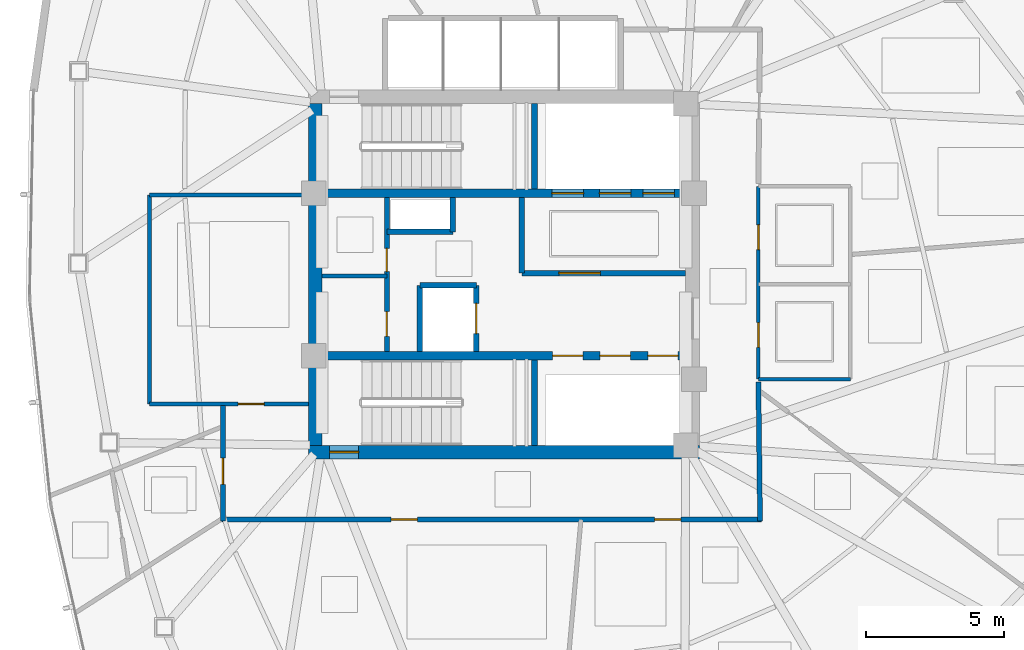
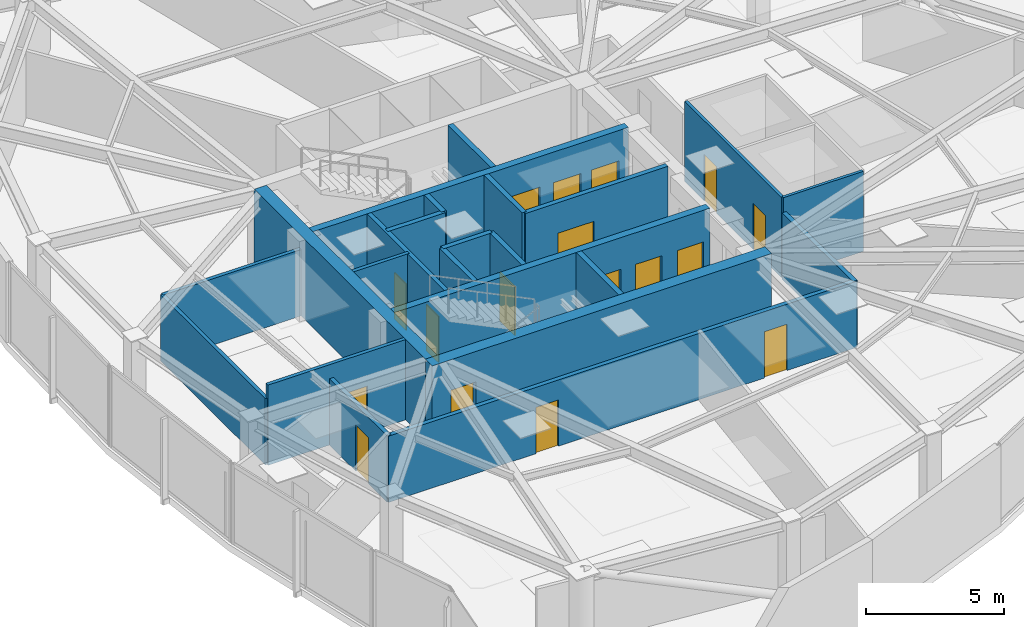
# One storey, part 11 of 17: 23 walls, 17 doors, 17 openings.
"""IFC4 building model written with IfcOpenShell, lengths in metres."""

import ifcopenshell
import ifcopenshell.guid

model = None  # the IFC model being written
_history = None  # IfcOwnerHistory: only IFC2X3 demands one
_inside = {}  # id of a spatial element -> (the spatial element, [elements in it])
_under = {}  # id of a project, library or spatial element -> (it, [spatial elements below it])
_declared = {}  # id of a project -> (the project, [libraries it declares])
_typed = {}  # id of a type object -> (the type object, [elements of that type])
_made_of = {}  # id of a material, layer set ... -> (it, [elements and type objects made of it])


def new_model(schema):
    """Start an empty IFC model of exactly this schema.

    Asked for "IFC4X3", IfcOpenShell would pick the latest addendum, in which some entities
    have other attributes; the version numbers below select the first issue.
    IFC2X3 requires an IfcOwnerHistory on every rooted entity: one is made here for all.
    """
    global model, _history
    if schema == "IFC4X3":
        model = ifcopenshell.file(schema_version=(4, 3, 0, 0))
    else:
        model = ifcopenshell.file(schema=schema)
    _inside.clear()
    _under.clear()
    _declared.clear()
    _typed.clear()
    _made_of.clear()
    _history = None
    if model.schema == "IFC2X3":
        org = make("IfcOrganization", Name="unknown")
        user = make(
            "IfcPersonAndOrganization",
            ThePerson=make("IfcPerson", FamilyName="unknown"),
            TheOrganization=org,
        )
        app = make(
            "IfcApplication",
            ApplicationDeveloper=org,
            Version="unknown",
            ApplicationFullName="unknown",
            ApplicationIdentifier="unknown",
        )
        _history = make(
            "IfcOwnerHistory",
            OwningUser=user,
            OwningApplication=app,
            ChangeAction="ADDED",
            CreationDate=0,
        )
    return model


def make(cls, **values):
    """One entity of the class cls with the attributes given. An attribute that is None is left unset."""
    return model.create_entity(
        cls, **{name: value for name, value in values.items() if value is not None}
    )


def rooted(cls, **values):
    """An entity with a GlobalId (a new one), such as an element, a storey or a relation."""
    return make(cls, GlobalId=ifcopenshell.guid.new(), OwnerHistory=_history, **values)


def si_unit(unit_type, name, prefix=None):
    """IfcSIUnit, for example si_unit("LENGTHUNIT", "METRE", prefix="MILLI")."""
    return make("IfcSIUnit", UnitType=unit_type, Prefix=prefix, Name=name)


def assignment(units):
    """IfcUnitAssignment: the units of a project."""
    return None if units is None else make("IfcUnitAssignment", Units=units)


def point(xyz):
    """IfcCartesianPoint."""
    return None if xyz is None else make("IfcCartesianPoint", Coordinates=xyz)


def direction(xyz):
    """IfcDirection."""
    return None if xyz is None else make("IfcDirection", DirectionRatios=xyz)


def frame(location, z_axis=None, x_axis=None):
    """IfcAxis2Placement3D, a coordinate frame: its origin and axes. An axis left out is left unset."""
    return make(
        "IfcAxis2Placement3D",
        Location=point(location),
        Axis=direction(z_axis),
        RefDirection=direction(x_axis),
    )


def frame_2d(location, x_axis=None):
    """IfcAxis2Placement2D, a coordinate frame in the plane: its origin and x axis."""
    return make(
        "IfcAxis2Placement2D", Location=point(location), RefDirection=direction(x_axis)
    )


def origin():
    """The frame at (0, 0, 0) with its axes left unset."""
    return frame((0.0, 0.0, 0.0))


def place(relative_to, where):
    """IfcLocalPlacement: puts the frame where relative to a parent placement (None: the world)."""
    return make(
        "IfcLocalPlacement", PlacementRelTo=relative_to, RelativePlacement=where
    )


def context(
    kind, dimensions, precision=None, world=None, true_north=None, identifier=None
):
    """IfcGeometricRepresentationContext, for example the 3D "Model" context."""
    return make(
        "IfcGeometricRepresentationContext",
        ContextIdentifier=identifier,
        ContextType=kind,
        CoordinateSpaceDimension=dimensions,
        Precision=precision,
        WorldCoordinateSystem=world,
        TrueNorth=true_north,
    )


def subcontext(parent, identifier, kind, view, scale=None):
    """IfcGeometricRepresentationSubContext, for example "Body" below "Model"."""
    return make(
        "IfcGeometricRepresentationSubContext",
        ContextIdentifier=identifier,
        ContextType=kind,
        ParentContext=parent,
        TargetScale=scale,
        TargetView=view,
    )


def project(units=None, contexts=None):
    """IfcProject with its units and contexts."""
    return rooted(
        "IfcProject",
        Name="project",
        RepresentationContexts=contexts,
        UnitsInContext=assignment(units),
    )


def spatial(cls, under=None, at=None, **own):
    """A site, building, storey or space (cls), placed at a placement, below another one or the project."""
    s = rooted(cls, ObjectPlacement=at, **own)
    if under is not None:
        _under.setdefault(under.id(), (under, []))[1].append(s)
    return s


def profile(cls, at=None, kind="AREA", **sizes):
    """A parametric profile (cls). Its sizes go by their IFC names, for example OverallWidth=200.0."""
    return make(cls, ProfileType=kind, Position=at, **sizes)


def rectangle(**sizes):
    """IfcRectangleProfileDef."""
    return profile("IfcRectangleProfileDef", **sizes)


def extrude(swept, where, along, depth):
    """IfcExtrudedAreaSolid: the profile swept, set in the frame where, extruded along a direction by depth."""
    return make(
        "IfcExtrudedAreaSolid",
        SweptArea=swept,
        Position=where,
        ExtrudedDirection=direction(along),
        Depth=depth,
    )


def shape(context_of_items, identifier, shape_type, items):
    """IfcShapeRepresentation: the items that make up one representation, for example the "Body"."""
    return make(
        "IfcShapeRepresentation",
        ContextOfItems=context_of_items,
        RepresentationIdentifier=identifier,
        RepresentationType=shape_type,
        Items=items,
    )


def material(Name=None, Category=None):
    """IfcMaterial."""
    return make("IfcMaterial", Name=Name, Category=Category)


def layer(
    of_material, thickness, ventilated=None, Name=None, Category=None, Priority=None
):
    """IfcMaterialLayer: one layer of a wall or slab, of a material (None: an air gap)."""
    return make(
        "IfcMaterialLayer",
        Material=of_material,
        LayerThickness=thickness,
        IsVentilated=ventilated,
        Name=Name,
        Category=Category,
        Priority=Priority,
    )


def layer_set(layers, Name=None):
    """IfcMaterialLayerSet."""
    return make("IfcMaterialLayerSet", MaterialLayers=layers, LayerSetName=Name)


def made_of(thing, what):
    """Note that an element or type object is made of a material, layer set ...; save() writes the relation."""
    if what is not None:
        _made_of.setdefault(what.id(), (what, []))[1].append(thing)
    return thing


def type_object(cls, material=None, **own):
    """A type object (cls), such as IfcWallType, which elements share."""
    return made_of(rooted(cls, **own), material)


def element(
    cls,
    number,
    at=None,
    inside=None,
    cuts=None,
    type_object=None,
    material=None,
    context=None,
    identifier="Body",
    shape_type=None,
    held_by="IfcProductDefinitionShape",
    body=None,
    shapes=None,
    **own,
):
    """One element of the class cls, such as IfcWall. Its Tag is "e" and its number.

    at: its placement. inside: the storey or other place that contains it. cuts: it is an
    opening in that element (IfcRelVoidsElement). A single representation is given by context,
    identifier, shape_type and body (its items); several are given by shapes. held_by: the class
    of the entity that holds the representations. save() writes the other relations.
    """
    e = rooted(cls, Tag="e%d" % number, ObjectPlacement=at, **own)
    if body is not None:
        shapes = [shape(context, identifier, shape_type, body)]
    if shapes is not None:
        e.Representation = make(held_by, Representations=shapes)
    if inside is not None:
        _inside.setdefault(inside.id(), (inside, []))[1].append(e)
    if cuts is not None:
        rooted(
            "IfcRelVoidsElement", RelatingBuildingElement=cuts, RelatedOpeningElement=e
        )
    if type_object is not None:
        _typed.setdefault(type_object.id(), (type_object, []))[1].append(e)
    return made_of(e, material)


def fill(opening, filler):
    """IfcRelFillsElement: the door or window that sits in an opening."""
    return rooted(
        "IfcRelFillsElement",
        RelatingOpeningElement=opening,
        RelatedBuildingElement=filler,
    )


def aggregate(whole, parts):
    """IfcRelAggregates: a whole, such as a stair, and the parts it consists of."""
    return rooted("IfcRelAggregates", RelatingObject=whole, RelatedObjects=parts)


def save(model, path):
    """Write the relations noted so far, then the file.

    IfcRelAggregates (storeys below a building ...), IfcRelContainedInSpatialStructure (elements
    in a storey), IfcRelDefinesByType, IfcRelAssociatesMaterial and IfcRelDeclares: one each for
    every whole, place, type object, material and project.
    """
    for whole, parts in _under.values():
        aggregate(whole, parts)
    for where, things in _inside.values():
        rooted(
            "IfcRelContainedInSpatialStructure",
            RelatedElements=things,
            RelatingStructure=where,
        )
    for kind, things in _typed.values():
        rooted("IfcRelDefinesByType", RelatedObjects=things, RelatingType=kind)
    for what, things in _made_of.values():
        rooted("IfcRelAssociatesMaterial", RelatedObjects=things, RelatingMaterial=what)
    for by, libraries in _declared.values():
        rooted("IfcRelDeclares", RelatingContext=by, RelatedDefinitions=libraries)
    model.write(path)


model = new_model("IFC4")

# Units and contexts
model_context = context("Model", 3, precision=1e-05, world=origin(), true_north=direction((0.0, 1.0)))
body_context = subcontext(model_context, "Body", "Model", "MODEL_VIEW")
ifc_project = project(units=[si_unit("LENGTHUNIT", "METRE"), si_unit("AREAUNIT", "SQUARE_METRE"), si_unit("VOLUMEUNIT", "CUBIC_METRE"), si_unit("PLANEANGLEUNIT", "RADIAN"), si_unit("MASSUNIT", "GRAM", prefix="KILO")], contexts=[model_context])

# Site, building, storey
site_placement = place(None, origin())
site = spatial("IfcSite", under=ifc_project, at=site_placement, CompositionType="ELEMENT")
building_placement = place(site_placement, origin())
building = spatial("IfcBuilding", under=site, at=building_placement, Name="Tavelor Broadcast Tower", CompositionType="ELEMENT")
storey_placement = place(building_placement, frame((0.0, 0.0, 169.5)))
storey = spatial("IfcBuildingStorey", under=building, at=storey_placement, Name="L40", CompositionType="ELEMENT", Elevation=169.5)

# Wall, opening, door
ifc_material_1 = material(Name="Concrete C50/60", Category="concrete")
ifc_layer_1 = layer(ifc_material_1, 0.5)
ifc_layer_set_1 = layer_set([ifc_layer_1], Name="Concrete C50/60")
wall_type_1 = type_object("IfcWallType", Name="Core Shear Wall 500 mm", PredefinedType="SHEAR", material=ifc_layer_set_1)
wall_1_placement = place(storey_placement, frame((42.89990234375, 38.550048828125, 0.0), z_axis=(0.0, 0.0, 1.0), x_axis=(1.0, 0.0, 0.0)))
wall_1 = element("IfcWall", 1, at=wall_1_placement, inside=storey, type_object=wall_type_1, Name="L40 Central Core Shear Wall S", PredefinedType="SHEAR", context=body_context, shape_type="SweptSolid", body=[
    extrude(rectangle(XDim=14.2001953125, YDim=0.5, at=frame_2d((7.10009765625, 0.0))), origin(), (0.0, 0.0, 1.0), 3.550048828125),
])
opening_1_placement = place(wall_1_placement, frame((0.780029296875, 0.0, 0.0)))
opening_1 = element("IfcOpeningElement", 2, at=opening_1_placement, cuts=wall_1, Name="Opening DR11", PredefinedType="OPENING", context=body_context, shape_type="SweptSolid", body=[
    extrude(rectangle(XDim=1.050048828125, YDim=2.199951171875, at=frame_2d((0.52490234375, 1.10009765625))), frame((0.0, 0.260009765625, 0.0), z_axis=(0.0, -1.0, 0.0), x_axis=(1.0, 0.0, 0.0)), (0.0, 0.0, 1.0), 0.52001953125),
])
ifc_material_2 = material(Name="Steel S355", Category="steel")
door_type_1 = type_object("IfcDoorType", Name="Stair Core Fire Escape Door 1050x2200", OperationType="NOTDEFINED", PredefinedType="DOOR", material=ifc_material_2)
door_1_placement = place(opening_1_placement, origin())
door_1 = element("IfcDoor", 3, at=door_1_placement, inside=storey, type_object=door_type_1, Name="L40 Stair ST2 Protected Exit Door", OperationType="SINGLE_SWING_RIGHT", OverallHeight=2.199951171875, OverallWidth=1.050048828125, PredefinedType="DOOR", context=body_context, shape_type="SweptSolid", body=[
    extrude(rectangle(XDim=1.050048828125, YDim=2.199951171875, at=frame_2d((0.52490234375, 1.10009765625))), frame((0.0, 0.02490234375, 0.0), z_axis=(0.0, -1.0, 0.0), x_axis=(1.0, 0.0, 0.0)), (0.0, 0.0, 1.0), 0.050048828125),
])
fill(opening_1, door_1)

# Wall
wall_2_placement = place(storey_placement, frame((43.14990234375, 38.800048828125, 0.0), z_axis=(0.0, 0.0, 1.0), x_axis=(0.0, 1.0, 0.0)))
element("IfcWall", 4, at=wall_2_placement, inside=storey, type_object=wall_type_1, Name="L40 Central Core Shear Wall W", PredefinedType="SHEAR", context=body_context, shape_type="SweptSolid", body=[
    extrude(rectangle(XDim=12.39990234375, YDim=0.5, at=frame_2d((6.199951171875, 0.0))), origin(), (0.0, 0.0, 1.0), 3.550048828125),
])

# Wall, openings, doors
ifc_layer_2 = layer(ifc_material_1, 0.300048828125)
ifc_layer_set_2 = layer_set([ifc_layer_2], Name="Concrete C50/60")
wall_type_2 = type_object("IfcWallType", Name="Core Spine Shear Wall 300 mm C50", PredefinedType="SHEAR", material=ifc_layer_set_2)
wall_3_placement = place(storey_placement, frame((43.39990234375, 47.949951171875, 0.0), z_axis=(0.0, 0.0, 1.0), x_axis=(1.0, 0.0, 0.0)))
wall_3 = element("IfcWall", 5, at=wall_3_placement, inside=storey, type_object=wall_type_2, Name="L40 Central Core Shear Wall SP1", PredefinedType="SHEAR", context=body_context, shape_type="SweptSolid", body=[
    extrude(rectangle(XDim=13.2001953125, YDim=0.300048828125, at=frame_2d((6.60009765625, 0.0))), origin(), (0.0, 0.0, 1.0), 3.550048828125),
])
opening_2_placement = place(wall_3_placement, frame((8.344970703125, 0.0, 0.0)))
opening_2 = element("IfcOpeningElement", 6, at=opening_2_placement, cuts=wall_3, Name="Opening LD02", PredefinedType="OPENING", context=body_context, shape_type="SweptSolid", body=[
    extrude(rectangle(XDim=1.14990234375, YDim=2.199951171875, at=frame_2d((0.574951171875, 1.10009765625))), frame((0.0, 0.16015625, 0.0), z_axis=(0.0, -1.0, 0.0), x_axis=(1.0, 0.0, 0.0)), (0.0, 0.0, 1.0), 0.320068359375),
])
opening_3_placement = place(wall_3_placement, frame((10.06494140625, 0.0, 0.0)))
opening_3 = element("IfcOpeningElement", 7, at=opening_3_placement, cuts=wall_3, Name="Opening LD02", PredefinedType="OPENING", context=body_context, shape_type="SweptSolid", body=[
    extrude(rectangle(XDim=1.14990234375, YDim=2.199951171875, at=frame_2d((0.574951171875, 1.10009765625))), frame((0.0, 0.16015625, 0.0), z_axis=(0.0, -1.0, 0.0), x_axis=(1.0, 0.0, 0.0)), (0.0, 0.0, 1.0), 0.320068359375),
])
opening_4_placement = place(wall_3_placement, frame((11.64501953125, 0.0, 0.0)))
opening_4 = element("IfcOpeningElement", 8, at=opening_4_placement, cuts=wall_3, Name="Opening LD03", PredefinedType="OPENING", context=body_context, shape_type="SweptSolid", body=[
    extrude(rectangle(XDim=1.14990234375, YDim=2.199951171875, at=frame_2d((0.574951171875, 1.10009765625))), frame((0.0, 0.16015625, 0.0), z_axis=(0.0, -1.0, 0.0), x_axis=(1.0, 0.0, 0.0)), (0.0, 0.0, 1.0), 0.320068359375),
])
ifc_material_3 = material(Name="Reinforced Brushed Stainless Steel", Category="concrete")
door_type_2 = type_object("IfcDoorType", Name="Broadcast Goods Lift Sliding Landing Door 1250x2200", OperationType="NOTDEFINED", PredefinedType="DOOR", material=ifc_material_3)
door_2_placement = place(opening_4_placement, origin())
door_2 = element("IfcDoor", 9, at=door_2_placement, inside=storey, type_object=door_type_2, Name="L40 Lift SVL1 Sliding Landing Door", OperationType="SLIDING_TO_LEFT", OverallHeight=2.199951171875, OverallWidth=1.14990234375, PredefinedType="DOOR", context=body_context, shape_type="SweptSolid", body=[
    extrude(rectangle(XDim=1.14990234375, YDim=2.199951171875, at=frame_2d((0.574951171875, 1.10009765625))), frame((0.0, 0.02490234375, 0.0), z_axis=(0.0, -1.0, 0.0), x_axis=(1.0, 0.0, 0.0)), (0.0, 0.0, 1.0), 0.050048828125),
])
fill(opening_4, door_2)
ifc_material_4 = material(Name="Fire-Rated Stainless Steel", Category="steel")
door_type_3 = type_object("IfcDoorType", Name="Firefighting Lift Sliding Landing Door 1200x2200", OperationType="NOTDEFINED", PredefinedType="DOOR", material=ifc_material_4)
door_3_placement = place(opening_2_placement, origin())
door_3 = element("IfcDoor", 10, at=door_3_placement, inside=storey, type_object=door_type_3, Name="L40 Lift FFL1 Sliding Landing Door", OperationType="SLIDING_TO_LEFT", OverallHeight=2.199951171875, OverallWidth=1.14990234375, PredefinedType="DOOR", context=body_context, shape_type="SweptSolid", body=[
    extrude(rectangle(XDim=1.14990234375, YDim=2.199951171875, at=frame_2d((0.574951171875, 1.10009765625))), frame((0.0, 0.02490234375, 0.0), z_axis=(0.0, -1.0, 0.0), x_axis=(1.0, 0.0, 0.0)), (0.0, 0.0, 1.0), 0.050048828125),
])
fill(opening_2, door_3)
door_4_placement = place(opening_3_placement, origin())
door_4 = element("IfcDoor", 11, at=door_4_placement, inside=storey, type_object=door_type_3, Name="L40 Lift FFL2 Sliding Landing Door", OperationType="SLIDING_TO_LEFT", OverallHeight=2.199951171875, OverallWidth=1.14990234375, PredefinedType="DOOR", context=body_context, shape_type="SweptSolid", body=[
    extrude(rectangle(XDim=1.14990234375, YDim=2.199951171875, at=frame_2d((0.574951171875, 1.10009765625))), frame((0.0, 0.02490234375, 0.0), z_axis=(0.0, -1.0, 0.0), x_axis=(1.0, 0.0, 0.0)), (0.0, 0.0, 1.0), 0.050048828125),
])
fill(opening_3, door_4)

wall_4_placement = place(storey_placement, frame((43.39990234375, 42.050048828125, 0.0), z_axis=(0.0, 0.0, 1.0), x_axis=(1.0, 0.0, 0.0)))
wall_4 = element("IfcWall", 12, at=wall_4_placement, inside=storey, type_object=wall_type_2, Name="L40 Central Core Shear Wall SP2", PredefinedType="SHEAR", context=body_context, shape_type="SweptSolid", body=[
    extrude(rectangle(XDim=13.2001953125, YDim=0.300048828125, at=frame_2d((6.60009765625, 0.0))), origin(), (0.0, 0.0, 1.0), 3.550048828125),
])
opening_5_placement = place(wall_4_placement, frame((8.3701171875, 0.0, 0.0)))
opening_5 = element("IfcOpeningElement", 13, at=opening_5_placement, cuts=wall_4, Name="Opening LD01", PredefinedType="OPENING", context=body_context, shape_type="SweptSolid", body=[
    extrude(rectangle(XDim=1.10009765625, YDim=2.14990234375, at=frame_2d((0.550048828125, 1.074951171875))), frame((0.0, 0.16015625, 0.0), z_axis=(0.0, -1.0, 0.0), x_axis=(1.0, 0.0, 0.0)), (0.0, 0.0, 1.0), 0.320068359375),
])
opening_6_placement = place(wall_4_placement, frame((10.090087890625, 0.0, 0.0)))
opening_6 = element("IfcOpeningElement", 14, at=opening_6_placement, cuts=wall_4, Name="Opening LD01", PredefinedType="OPENING", context=body_context, shape_type="SweptSolid", body=[
    extrude(rectangle(XDim=1.10009765625, YDim=2.14990234375, at=frame_2d((0.550048828125, 1.074951171875))), frame((0.0, 0.16015625, 0.0), z_axis=(0.0, -1.0, 0.0), x_axis=(1.0, 0.0, 0.0)), (0.0, 0.0, 1.0), 0.320068359375),
])
opening_7_placement = place(wall_4_placement, frame((11.830078125, 0.0, 0.0)))
opening_7 = element("IfcOpeningElement", 15, at=opening_7_placement, cuts=wall_4, Name="Opening LD01", PredefinedType="OPENING", context=body_context, shape_type="SweptSolid", body=[
    extrude(rectangle(XDim=1.10009765625, YDim=2.14990234375, at=frame_2d((0.550048828125, 1.074951171875))), frame((0.0, 0.16015625, 0.0), z_axis=(0.0, -1.0, 0.0), x_axis=(1.0, 0.0, 0.0)), (0.0, 0.0, 1.0), 0.320068359375),
])
ifc_material_5 = material(Name="Brushed Stainless Steel", Category="steel")
door_type_4 = type_object("IfcDoorType", Name="Passenger Lift Sliding Landing Door 1100x2150", OperationType="NOTDEFINED", PredefinedType="DOOR", material=ifc_material_5)
door_5_placement = place(opening_5_placement, origin())
door_5 = element("IfcDoor", 16, at=door_5_placement, inside=storey, type_object=door_type_4, Name="L40 Lift PLM1 Sliding Landing Door", OperationType="SLIDING_TO_LEFT", OverallHeight=2.14990234375, OverallWidth=1.10009765625, PredefinedType="DOOR", context=body_context, shape_type="SweptSolid", body=[
    extrude(rectangle(XDim=1.10009765625, YDim=2.14990234375, at=frame_2d((0.550048828125, 1.074951171875))), frame((0.0, 0.02490234375, 0.0), z_axis=(0.0, -1.0, 0.0), x_axis=(1.0, 0.0, 0.0)), (0.0, 0.0, 1.0), 0.050048828125),
])
fill(opening_5, door_5)
door_6_placement = place(opening_6_placement, origin())
door_6 = element("IfcDoor", 17, at=door_6_placement, inside=storey, type_object=door_type_4, Name="L40 Lift PLM2 Sliding Landing Door", OperationType="SLIDING_TO_LEFT", OverallHeight=2.14990234375, OverallWidth=1.10009765625, PredefinedType="DOOR", context=body_context, shape_type="SweptSolid", body=[
    extrude(rectangle(XDim=1.10009765625, YDim=2.14990234375, at=frame_2d((0.550048828125, 1.074951171875))), frame((0.0, 0.02490234375, 0.0), z_axis=(0.0, -1.0, 0.0), x_axis=(1.0, 0.0, 0.0)), (0.0, 0.0, 1.0), 0.050048828125),
])
fill(opening_6, door_6)
door_7_placement = place(opening_7_placement, origin())
door_7 = element("IfcDoor", 18, at=door_7_placement, inside=storey, type_object=door_type_4, Name="L40 Lift PLM3 Sliding Landing Door", OperationType="SLIDING_TO_LEFT", OverallHeight=2.14990234375, OverallWidth=1.10009765625, PredefinedType="DOOR", context=body_context, shape_type="SweptSolid", body=[
    extrude(rectangle(XDim=1.10009765625, YDim=2.14990234375, at=frame_2d((0.550048828125, 1.074951171875))), frame((0.0, 0.02490234375, 0.0), z_axis=(0.0, -1.0, 0.0), x_axis=(1.0, 0.0, 0.0)), (0.0, 0.0, 1.0), 0.050048828125),
])
fill(opening_7, door_7)

ifc_material_6 = material(Name="Calcium Silicate Fire Board 180 mm", Category="gypsum")
ifc_layer_3 = layer(ifc_material_6, 0.179931640625)
ifc_layer_set_3 = layer_set([ifc_layer_3], Name="Calcium Silicate Fire Board 180 mm")
wall_type_3 = type_object("IfcWallType", Name="Fire-Rated Corridor Partition Wall 180 mm", PredefinedType="PARTITIONING", material=ifc_layer_set_3)
wall_5_placement = place(storey_placement, frame((45.75, 42.199951171875, 0.0), z_axis=(0.0, 0.0, 1.0), x_axis=(0.0, 1.0, 0.0)))
wall_5 = element("IfcWall", 19, at=wall_5_placement, inside=storey, type_object=wall_type_3, Name="L40 Core West Service East Wall", PredefinedType="PARTITIONING", context=body_context, shape_type="SweptSolid", body=[
    extrude(rectangle(XDim=5.60009765625, YDim=0.179931640625, at=frame_2d((2.800048828125, 0.0))), origin(), (0.0, 0.0, 1.0), 3.550048828125),
])
opening_8_placement = place(wall_5_placement, frame((0.550048828125, 0.0, 0.0)))
opening_8 = element("IfcOpeningElement", 20, at=opening_8_placement, cuts=wall_5, Name="Opening DR32", PredefinedType="OPENING", context=body_context, shape_type="SweptSolid", body=[
    extrude(rectangle(XDim=0.89990234375, YDim=2.050048828125, at=frame_2d((0.449951171875, 1.02490234375))), frame((0.0, 0.10009765625, 0.0), z_axis=(0.0, -1.0, 0.0), x_axis=(1.0, 0.0, 0.0)), (0.0, 0.0, 1.0), 0.199951171875),
])
opening_9_placement = place(wall_5_placement, frame((2.89990234375, 0.0, 0.0)))
opening_9 = element("IfcOpeningElement", 21, at=opening_9_placement, cuts=wall_5, Name="Opening DR36", PredefinedType="OPENING", context=body_context, shape_type="SweptSolid", body=[
    extrude(rectangle(XDim=0.85009765625, YDim=2.050048828125, at=frame_2d((0.425048828125, 1.02490234375))), frame((0.0, 0.10009765625, 0.0), z_axis=(0.0, -1.0, 0.0), x_axis=(1.0, 0.0, 0.0)), (0.0, 0.0, 1.0), 0.199951171875),
])
ifc_material_7 = material(Name="Timber Solid Core Hardwood", Category="wood")
door_type_5 = type_object("IfcDoorType", Name="Accessible Washroom Door 900x2050", OperationType="NOTDEFINED", PredefinedType="DOOR", material=ifc_material_7)
door_8_placement = place(opening_8_placement, origin())
door_8 = element("IfcDoor", 22, at=door_8_placement, inside=storey, type_object=door_type_5, Name="L40 Core Accessible WC Door", OperationType="SINGLE_SWING_LEFT", OverallHeight=2.050048828125, OverallWidth=0.89990234375, PredefinedType="DOOR", context=body_context, shape_type="SweptSolid", body=[
    extrude(rectangle(XDim=0.89990234375, YDim=2.050048828125, at=frame_2d((0.449951171875, 1.02490234375))), frame((0.0, 0.02490234375, 0.0), z_axis=(0.0, -1.0, 0.0), x_axis=(1.0, 0.0, 0.0)), (0.0, 0.0, 1.0), 0.050048828125),
])
fill(opening_8, door_8)
door_type_6 = type_object("IfcDoorType", Name="Service Room Fire Door 850x2050", OperationType="NOTDEFINED", PredefinedType="DOOR", material=ifc_material_2)
door_9_placement = place(opening_9_placement, origin())
door_9 = element("IfcDoor", 23, at=door_9_placement, inside=storey, type_object=door_type_6, Name="L40 Core Cleaner Store Door", OperationType="SINGLE_SWING_RIGHT", OverallHeight=2.050048828125, OverallWidth=0.85009765625, PredefinedType="DOOR", context=body_context, shape_type="SweptSolid", body=[
    extrude(rectangle(XDim=0.85009765625, YDim=2.050048828125, at=frame_2d((0.425048828125, 1.02490234375))), frame((0.0, 0.02490234375, 0.0), z_axis=(0.0, -1.0, 0.0), x_axis=(1.0, 0.0, 0.0)), (0.0, 0.0, 1.0), 0.050048828125),
])
fill(opening_9, door_9)

# Wall
wall_6_placement = place(storey_placement, frame((59.240478515625, 41.10009765625, 0.0), z_axis=(0.0, 0.0, 1.0), x_axis=(0.011891834917, -0.999929289631, 0.0)))
element("IfcWall", 24, at=wall_6_placement, inside=storey, type_object=wall_type_3, Name="L40 Corridor Compartment Wall 03", PredefinedType="PARTITIONING", context=body_context, shape_type="SweptSolid", body=[
    extrude(rectangle(XDim=5.05029296875, YDim=0.179931640625, at=frame_2d((2.525146484375, 0.0))), origin(), (0.0, 0.0, 1.0), 2.93505859375),
])

# Wall, openings, doors
wall_7_placement = place(storey_placement, frame((59.35009765625, 36.10009765625, 0.0), z_axis=(0.0, 0.0, 1.0), x_axis=(-1.0, 0.0, 0.0)))
wall_7 = element("IfcWall", 25, at=wall_7_placement, inside=storey, type_object=wall_type_3, Name="L40 Corridor Compartment Wall 04", PredefinedType="PARTITIONING", context=body_context, shape_type="SweptSolid", body=[
    extrude(rectangle(XDim=19.60009765625, YDim=0.179931640625, at=frame_2d((9.800048828125, 0.0))), origin(), (0.0, 0.0, 1.0), 2.93505859375),
])
opening_10_placement = place(wall_7_placement, frame((2.923095703125, 0.0, 0.0)))
opening_10 = element("IfcOpeningElement", 26, at=opening_10_placement, cuts=wall_7, Name="Opening DR18", PredefinedType="OPENING", context=body_context, shape_type="SweptSolid", body=[
    extrude(rectangle(XDim=0.949951171875, YDim=2.050048828125, at=frame_2d((0.47509765625, 1.02490234375))), frame((0.0, 0.10009765625, 0.0), z_axis=(0.0, -1.0, 0.0), x_axis=(1.0, 0.0, 0.0)), (0.0, 0.0, 1.0), 0.199951171875),
])
opening_11_placement = place(wall_7_placement, frame((12.48779296875, 0.0, 0.0)))
opening_11 = element("IfcOpeningElement", 27, at=opening_11_placement, cuts=wall_7, Name="Opening DR18", PredefinedType="OPENING", context=body_context, shape_type="SweptSolid", body=[
    extrude(rectangle(XDim=0.949951171875, YDim=2.050048828125, at=frame_2d((0.47509765625, 1.02490234375))), frame((0.0, 0.10009765625, 0.0), z_axis=(0.0, -1.0, 0.0), x_axis=(1.0, 0.0, 0.0)), (0.0, 0.0, 1.0), 0.199951171875),
])
door_type_7 = type_object("IfcDoorType", Name="Corridor Rated Compartment Door 950x2050", OperationType="NOTDEFINED", PredefinedType="DOOR", material=ifc_material_7)
door_10_placement = place(opening_10_placement, origin())
door_10 = element("IfcDoor", 28, at=door_10_placement, inside=storey, type_object=door_type_7, Name="L40 Broadcast Script Study Door R0", OperationType="SINGLE_SWING_LEFT", OverallHeight=2.050048828125, OverallWidth=0.949951171875, PredefinedType="DOOR", context=body_context, shape_type="SweptSolid", body=[
    extrude(rectangle(XDim=0.949951171875, YDim=2.050048828125, at=frame_2d((0.47509765625, 1.02490234375))), frame((0.0, 0.02490234375, 0.0), z_axis=(0.0, -1.0, 0.0), x_axis=(1.0, 0.0, 0.0)), (0.0, 0.0, 1.0), 0.050048828125),
])
fill(opening_10, door_10)
door_11_placement = place(opening_11_placement, origin())
door_11 = element("IfcDoor", 29, at=door_11_placement, inside=storey, type_object=door_type_7, Name="L40 Executive Reading Study Door R1", OperationType="SINGLE_SWING_RIGHT", OverallHeight=2.050048828125, OverallWidth=0.949951171875, PredefinedType="DOOR", context=body_context, shape_type="SweptSolid", body=[
    extrude(rectangle(XDim=0.949951171875, YDim=2.050048828125, at=frame_2d((0.47509765625, 1.02490234375))), frame((0.0, 0.02490234375, 0.0), z_axis=(0.0, -1.0, 0.0), x_axis=(1.0, 0.0, 0.0)), (0.0, 0.0, 1.0), 0.050048828125),
])
fill(opening_11, door_11)

# Wall, opening, door
wall_8_placement = place(storey_placement, frame((39.800048828125, 36.050048828125, 0.0), z_axis=(0.0, 0.0, 1.0), x_axis=(0.0, 1.0, 0.0)))
wall_8 = element("IfcWall", 30, at=wall_8_placement, inside=storey, type_object=wall_type_3, Name="L40 Corridor Compartment Wall 05", PredefinedType="PARTITIONING", context=body_context, shape_type="SweptSolid", body=[
    extrude(rectangle(XDim=4.199951171875, YDim=0.179931640625, at=frame_2d((2.10009765625, 0.0))), origin(), (0.0, 0.0, 1.0), 2.93505859375),
])
opening_12_placement = place(wall_8_placement, frame((1.3330078125, 0.0, 0.0)))
opening_12 = element("IfcOpeningElement", 31, at=opening_12_placement, cuts=wall_8, Name="Opening DR18", PredefinedType="OPENING", context=body_context, shape_type="SweptSolid", body=[
    extrude(rectangle(XDim=0.949951171875, YDim=2.050048828125, at=frame_2d((0.47509765625, 1.02490234375))), frame((0.0, 0.10009765625, 0.0), z_axis=(0.0, -1.0, 0.0), x_axis=(1.0, 0.0, 0.0)), (0.0, 0.0, 1.0), 0.199951171875),
])
door_12_placement = place(opening_12_placement, origin())
door_12 = element("IfcDoor", 32, at=door_12_placement, inside=storey, type_object=door_type_7, Name="L40 Press Interview Room Door R9", OperationType="SINGLE_SWING_LEFT", OverallHeight=2.050048828125, OverallWidth=0.949951171875, PredefinedType="DOOR", context=body_context, shape_type="SweptSolid", body=[
    extrude(rectangle(XDim=0.949951171875, YDim=2.050048828125, at=frame_2d((0.47509765625, 1.02490234375))), frame((0.0, 0.02490234375, 0.0), z_axis=(0.0, -1.0, 0.0), x_axis=(1.0, 0.0, 0.0)), (0.0, 0.0, 1.0), 0.050048828125),
])
fill(opening_12, door_12)

# Wall
ifc_material_8 = material(Name="Gypsum Acoustic Plasterboard 150 mm", Category="gypsum")
ifc_layer_4 = layer(ifc_material_8, 0.14990234375)
ifc_layer_set_4 = layer_set([ifc_layer_4], Name="Gypsum Acoustic Plasterboard 150 mm")
wall_type_4 = type_object("IfcWallType", Name="Interior Acoustic Partition Wall 150 mm", PredefinedType="PARTITIONING", material=ifc_layer_set_4)
wall_9_placement = place(storey_placement, frame((43.39990234375, 44.949951171875, 0.0), z_axis=(0.0, 0.0, 1.0), x_axis=(1.0, 0.0, 0.0)))
element("IfcWall", 33, at=wall_9_placement, inside=storey, type_object=wall_type_4, Name="L40 Core Split Wall A", PredefinedType="PARTITIONING", context=body_context, shape_type="SweptSolid", body=[
    extrude(rectangle(XDim=2.35009765625, YDim=0.14990234375, at=frame_2d((1.175048828125, 0.0))), origin(), (0.0, 0.0, 1.0), 3.550048828125),
])

# Wall, opening, door
wall_10_placement = place(storey_placement, frame((37.139892578125, 40.300048828125, 0.0), z_axis=(0.0, 0.0, 1.0), x_axis=(1.0, 0.0, 0.0)))
wall_10 = element("IfcWall", 34, at=wall_10_placement, inside=storey, type_object=wall_type_4, Name="L40 Reclaimed Shaft Pantry South Wall", PredefinedType="PARTITIONING", context=body_context, shape_type="SweptSolid", body=[
    extrude(rectangle(XDim=5.760009765625, YDim=0.14990234375, at=frame_2d((2.8798828125, 0.0))), origin(), (0.0, 0.0, 1.0), 3.550048828125),
])
opening_13_placement = place(wall_10_placement, frame((3.2099609375, 0.0, 0.0)))
opening_13 = element("IfcOpeningElement", 35, at=opening_13_placement, cuts=wall_10, Name="Opening DR18", PredefinedType="OPENING", context=body_context, shape_type="SweptSolid", body=[
    extrude(rectangle(XDim=0.949951171875, YDim=2.050048828125, at=frame_2d((0.47509765625, 1.02490234375))), frame((0.0, 0.0849609375, 0.0), z_axis=(0.0, -1.0, 0.0), x_axis=(1.0, 0.0, 0.0)), (0.0, 0.0, 1.0), 0.169921875),
])
door_13_placement = place(opening_13_placement, origin())
door_13 = element("IfcDoor", 36, at=door_13_placement, inside=storey, type_object=door_type_7, Name="L40 Broadcast IT Patch and Pantry Door", OperationType="SINGLE_SWING_LEFT", OverallHeight=2.050048828125, OverallWidth=0.949951171875, PredefinedType="DOOR", context=body_context, shape_type="SweptSolid", body=[
    extrude(rectangle(XDim=0.949951171875, YDim=2.050048828125, at=frame_2d((0.47509765625, 1.02490234375))), frame((0.0, 0.02490234375, 0.0), z_axis=(0.0, -1.0, 0.0), x_axis=(1.0, 0.0, 0.0)), (0.0, 0.0, 1.0), 0.050048828125),
])
fill(opening_13, door_13)

# Walls
wall_11_placement = place(storey_placement, frame((37.139892578125, 40.300048828125, 0.0), z_axis=(0.0, 0.0, 1.0), x_axis=(0.0, 1.0, 0.0)))
element("IfcWall", 37, at=wall_11_placement, inside=storey, type_object=wall_type_4, Name="L40 Reclaimed Shaft Pantry West Wall", PredefinedType="PARTITIONING", context=body_context, shape_type="SweptSolid", body=[
    extrude(rectangle(XDim=7.579833984375, YDim=0.14990234375, at=frame_2d((3.7900390625, 0.0))), origin(), (0.0, 0.0, 1.0), 2.93505859375),
])
wall_12_placement = place(storey_placement, frame((37.139892578125, 47.8798828125, 0.0), z_axis=(0.0, 0.0, 1.0), x_axis=(1.0, 0.0, 0.0)))
element("IfcWall", 38, at=wall_12_placement, inside=storey, type_object=wall_type_4, Name="L40 Reclaimed Shaft Pantry North Wall", PredefinedType="PARTITIONING", context=body_context, shape_type="SweptSolid", body=[
    extrude(rectangle(XDim=5.760009765625, YDim=0.14990234375, at=frame_2d((2.8798828125, 0.0))), origin(), (0.0, 0.0, 1.0), 2.93505859375),
])

# Wall, opening, door
ifc_material_9 = material(Name="Concrete Blockwork 200 mm", Category="masonry")
ifc_layer_5 = layer(ifc_material_9, 0.199951171875)
ifc_layer_set_5 = layer_set([ifc_layer_5], Name="Concrete Blockwork 200 mm")
wall_type_5 = type_object("IfcWallType", Name="Lift Hoistway Rated Front Wall 200 mm", PredefinedType="PARTITIONING", material=ifc_layer_set_5)
wall_13_placement = place(storey_placement, frame((49.0, 42.199951171875, 0.0), z_axis=(0.0, 0.0, 1.0), x_axis=(0.0, 1.0, 0.0)))
wall_13 = element("IfcWall", 39, at=wall_13_placement, inside=storey, type_object=wall_type_5, Name="L40 Mid-Rise Lift PLM4 Hoistway Front Wall", PredefinedType="PARTITIONING", context=body_context, shape_type="SweptSolid", body=[
    extrude(rectangle(XDim=2.400146484375, YDim=0.199951171875, at=frame_2d((1.2001953125, 0.0))), origin(), (0.0, 0.0, 1.0), 3.550048828125),
])
opening_14_placement = place(wall_13_placement, frame((0.64990234375, 0.0, 0.0)))
opening_14 = element("IfcOpeningElement", 40, at=opening_14_placement, cuts=wall_13, Name="Opening LD01", PredefinedType="OPENING", context=body_context, shape_type="SweptSolid", body=[
    extrude(rectangle(XDim=1.10009765625, YDim=2.14990234375, at=frame_2d((0.550048828125, 1.074951171875))), frame((0.0, 0.10986328125, 0.0), z_axis=(0.0, -1.0, 0.0), x_axis=(1.0, 0.0, 0.0)), (0.0, 0.0, 1.0), 0.219970703125),
])
door_14_placement = place(opening_14_placement, origin())
door_14 = element("IfcDoor", 41, at=door_14_placement, inside=storey, type_object=door_type_4, Name="L40 Lift PLM4 Sliding Landing Door", OperationType="SLIDING_TO_RIGHT", OverallHeight=2.14990234375, OverallWidth=1.10009765625, PredefinedType="DOOR", context=body_context, shape_type="SweptSolid", body=[
    extrude(rectangle(XDim=1.10009765625, YDim=2.14990234375, at=frame_2d((0.550048828125, 1.074951171875))), frame((0.0, 0.02490234375, 0.0), z_axis=(0.0, -1.0, 0.0), x_axis=(1.0, 0.0, 0.0)), (0.0, 0.0, 1.0), 0.050048828125),
])
fill(opening_14, door_14)

# Walls
ifc_layer_6 = layer(ifc_material_9, 0.199951171875)
ifc_layer_set_6 = layer_set([ifc_layer_6], Name="Concrete Blockwork 200 mm")
wall_type_6 = type_object("IfcWallType", Name="Lift and Riser Shaft Enclosure Wall 200 mm", PredefinedType="PARTITIONING", material=ifc_layer_set_6)
wall_14_placement = place(storey_placement, frame((45.75, 46.550048828125, 0.0), z_axis=(0.0, 0.0, 1.0), x_axis=(1.0, 0.0, 0.0)))
element("IfcWall", 42, at=wall_14_placement, inside=storey, type_object=wall_type_6, Name="L40 Riser Shaft South Wall", PredefinedType="PARTITIONING", context=body_context, shape_type="SweptSolid", body=[
    extrude(rectangle(XDim=2.39990234375, YDim=0.199951171875, at=frame_2d((1.199951171875, 0.0))), origin(), (0.0, 0.0, 1.0), 3.550048828125),
])
wall_15_placement = place(storey_placement, frame((48.14990234375, 46.550048828125, 0.0), z_axis=(0.0, 0.0, 1.0), x_axis=(0.0, 1.0, 0.0)))
element("IfcWall", 43, at=wall_15_placement, inside=storey, type_object=wall_type_6, Name="L40 Riser Shaft East Wall", PredefinedType="PARTITIONING", context=body_context, shape_type="SweptSolid", body=[
    extrude(rectangle(XDim=1.25, YDim=0.199951171875, at=frame_2d((0.625, 0.0))), origin(), (0.0, 0.0, 1.0), 3.550048828125),
])
wall_16_placement = place(storey_placement, frame((46.949951171875, 42.199951171875, 0.0), z_axis=(0.0, 0.0, 1.0), x_axis=(0.0, 1.0, 0.0)))
element("IfcWall", 44, at=wall_16_placement, inside=storey, type_object=wall_type_6, Name="L40 Mid-Rise Lift PLM4 West Wall", PredefinedType="PARTITIONING", context=body_context, shape_type="SweptSolid", body=[
    extrude(rectangle(XDim=2.400146484375, YDim=0.199951171875, at=frame_2d((1.2001953125, 0.0))), origin(), (0.0, 0.0, 1.0), 3.550048828125),
])
wall_17_placement = place(storey_placement, frame((46.949951171875, 44.60009765625, 0.0), z_axis=(0.0, 0.0, 1.0), x_axis=(1.0, 0.0, 0.0)))
element("IfcWall", 45, at=wall_17_placement, inside=storey, type_object=wall_type_6, Name="L40 Mid-Rise Lift PLM4 North Wall", PredefinedType="PARTITIONING", context=body_context, shape_type="SweptSolid", body=[
    extrude(rectangle(XDim=2.050048828125, YDim=0.199951171875, at=frame_2d((1.02490234375, 0.0))), origin(), (0.0, 0.0, 1.0), 3.550048828125),
])

# Wall, opening, door
wall_18_placement = place(storey_placement, frame((50.64990234375, 45.050048828125, 0.0), z_axis=(0.0, 0.0, 1.0), x_axis=(1.0, 0.0, 0.0)))
wall_18 = element("IfcWall", 46, at=wall_18_placement, inside=storey, type_object=wall_type_6, Name="L40 Firefighting Lobby South Wall", PredefinedType="PARTITIONING", context=body_context, shape_type="SweptSolid", body=[
    extrude(rectangle(XDim=5.9501953125, YDim=0.199951171875, at=frame_2d((2.97509765625, 0.0))), origin(), (0.0, 0.0, 1.0), 3.550048828125),
])
opening_15_placement = place(wall_18_placement, frame((1.35009765625, 0.0, 0.0)))
opening_15 = element("IfcOpeningElement", 47, at=opening_15_placement, cuts=wall_18, Name="Opening DR14", PredefinedType="OPENING", context=body_context, shape_type="SweptSolid", body=[
    extrude(rectangle(XDim=1.5, YDim=2.199951171875, at=frame_2d((0.75, 1.10009765625))), frame((0.0, 0.10986328125, 0.0), z_axis=(0.0, -1.0, 0.0), x_axis=(1.0, 0.0, 0.0)), (0.0, 0.0, 1.0), 0.219970703125),
])
door_type_8 = type_object("IfcDoorType", Name="Firefighting Lobby Double Fire Door 1500x2200", OperationType="NOTDEFINED", PredefinedType="DOOR", material=ifc_material_2)
door_15_placement = place(opening_15_placement, origin())
door_15 = element("IfcDoor", 48, at=door_15_placement, inside=storey, type_object=door_type_8, Name="L40 Firefighting Lobby Compartment Door", OperationType="SINGLE_SWING_RIGHT", OverallHeight=2.199951171875, OverallWidth=1.5, PredefinedType="DOOR", context=body_context, shape_type="SweptSolid", body=[
    extrude(rectangle(XDim=1.5, YDim=2.199951171875, at=frame_2d((0.75, 1.10009765625))), frame((0.0, 0.02490234375, 0.0), z_axis=(0.0, -1.0, 0.0), x_axis=(1.0, 0.0, 0.0)), (0.0, 0.0, 1.0), 0.050048828125),
])
fill(opening_15, door_15)

# Wall
wall_19_placement = place(storey_placement, frame((50.64990234375, 45.050048828125, 0.0), z_axis=(0.0, 0.0, 1.0), x_axis=(0.0, 1.0, 0.0)))
element("IfcWall", 49, at=wall_19_placement, inside=storey, type_object=wall_type_6, Name="L40 Firefighting Lobby West Wall", PredefinedType="PARTITIONING", context=body_context, shape_type="SweptSolid", body=[
    extrude(rectangle(XDim=2.75, YDim=0.199951171875, at=frame_2d((1.375, 0.0))), origin(), (0.0, 0.0, 1.0), 3.550048828125),
])

# Wall, openings, doors
ifc_material_10 = material(Name="Moisture-Resistant Plasterboard 120 mm", Category="gypsum")
ifc_layer_7 = layer(ifc_material_10, 0.1201171875)
ifc_layer_set_7 = layer_set([ifc_layer_7], Name="Moisture-Resistant Plasterboard 120 mm")
wall_type_7 = type_object("IfcWallType", Name="Moisture-Resistant Wet-Room Partition 120 mm", PredefinedType="PARTITIONING", material=ifc_layer_set_7)
wall_20_placement = place(storey_placement, frame((59.239990234375, 41.199951171875, 0.0), z_axis=(0.0, 0.0, 1.0), x_axis=(0.0, 1.0, 0.0)))
wall_20 = element("IfcWall", 50, at=wall_20_placement, inside=storey, type_object=wall_type_7, Name="L40 Floor Washrooms West Wall", PredefinedType="PARTITIONING", context=body_context, shape_type="SweptSolid", body=[
    extrude(rectangle(XDim=7.0, YDim=0.1201171875, at=frame_2d((3.5, 0.0))), origin(), (0.0, 0.0, 1.0), 3.550048828125),
])
opening_16_placement = place(wall_20_placement, frame((1.14990234375, 0.0, 0.0)))
opening_16 = element("IfcOpeningElement", 51, at=opening_16_placement, cuts=wall_20, Name="Opening DR32", PredefinedType="OPENING", context=body_context, shape_type="SweptSolid", body=[
    extrude(rectangle(XDim=0.89990234375, YDim=2.050048828125, at=frame_2d((0.449951171875, 1.02490234375))), frame((0.0, 0.070068359375, 0.0), z_axis=(0.0, -1.0, 0.0), x_axis=(1.0, 0.0, 0.0)), (0.0, 0.0, 1.0), 0.14013671875),
])
opening_17_placement = place(wall_20_placement, frame((4.699951171875, 0.0, 0.0)))
opening_17 = element("IfcOpeningElement", 52, at=opening_17_placement, cuts=wall_20, Name="Opening DR32", PredefinedType="OPENING", context=body_context, shape_type="SweptSolid", body=[
    extrude(rectangle(XDim=0.89990234375, YDim=2.050048828125, at=frame_2d((0.449951171875, 1.02490234375))), frame((0.0, 0.070068359375, 0.0), z_axis=(0.0, -1.0, 0.0), x_axis=(1.0, 0.0, 0.0)), (0.0, 0.0, 1.0), 0.14013671875),
])
door_16_placement = place(opening_16_placement, origin())
door_16 = element("IfcDoor", 53, at=door_16_placement, inside=storey, type_object=door_type_5, Name="L40 Accessible WC Door", OperationType="SINGLE_SWING_LEFT", OverallHeight=2.050048828125, OverallWidth=0.89990234375, PredefinedType="DOOR", context=body_context, shape_type="SweptSolid", body=[
    extrude(rectangle(XDim=0.89990234375, YDim=2.050048828125, at=frame_2d((0.449951171875, 1.02490234375))), frame((0.0, 0.02490234375, 0.0), z_axis=(0.0, -1.0, 0.0), x_axis=(1.0, 0.0, 0.0)), (0.0, 0.0, 1.0), 0.050048828125),
])
fill(opening_16, door_16)
door_17_placement = place(opening_17_placement, origin())
door_17 = element("IfcDoor", 54, at=door_17_placement, inside=storey, type_object=door_type_5, Name="L40 Staff Washroom WC Door", OperationType="SINGLE_SWING_RIGHT", OverallHeight=2.050048828125, OverallWidth=0.89990234375, PredefinedType="DOOR", context=body_context, shape_type="SweptSolid", body=[
    extrude(rectangle(XDim=0.89990234375, YDim=2.050048828125, at=frame_2d((0.449951171875, 1.02490234375))), frame((0.0, 0.02490234375, 0.0), z_axis=(0.0, -1.0, 0.0), x_axis=(1.0, 0.0, 0.0)), (0.0, 0.0, 1.0), 0.050048828125),
])
fill(opening_17, door_17)

# Walls
wall_21_placement = place(storey_placement, frame((59.239990234375, 41.199951171875, 0.0), z_axis=(0.0, 0.0, 1.0), x_axis=(1.0, 0.0, 0.0)))
element("IfcWall", 55, at=wall_21_placement, inside=storey, type_object=wall_type_7, Name="L40 Floor Washrooms South Wall", PredefinedType="PARTITIONING", context=body_context, shape_type="SweptSolid", body=[
    extrude(rectangle(XDim=3.340087890625, YDim=0.1201171875, at=frame_2d((1.669921875, 0.0))), origin(), (0.0, 0.0, 1.0), 3.550048828125),
])
ifc_material_11 = material(Name="Concrete C40/50", Category="concrete")
ifc_layer_8 = layer(ifc_material_11, 0.219970703125)
ifc_layer_set_8 = layer_set([ifc_layer_8], Name="Concrete C40/50")
wall_type_8 = type_object("IfcWallType", Name="Structural Stairwell Shear Wall 220 mm", PredefinedType="SHEAR", material=ifc_layer_set_8)
for number, where, z_axis, x_axis, name in (
    (56, (51.110107421875, 48.10009765625, 0.0), (0.0, 0.0, 1.0), (0.0, 1.0, 0.0), "L40 Stair ST1 Structural Shaft Wall"),
    (57, (51.110107421875, 38.800048828125, 0.0), (0.0, 0.0, 1.0), (0.0, 1.0, 0.0), "L40 Stair ST2 Structural Shaft Wall"),
):
    element("IfcWall", number, at=place(storey_placement, frame(where, z_axis=z_axis, x_axis=x_axis)), inside=storey, type_object=wall_type_8, Name=name, PredefinedType="SHEAR", context=body_context, shape_type="SweptSolid", body=[
        extrude(rectangle(XDim=3.099853515625, YDim=0.219970703125, at=frame_2d((1.5498046875, 0.0))), origin(), (0.0, 0.0, 1.0), 3.550048828125),
    ])

save(model, "model.ifc")
